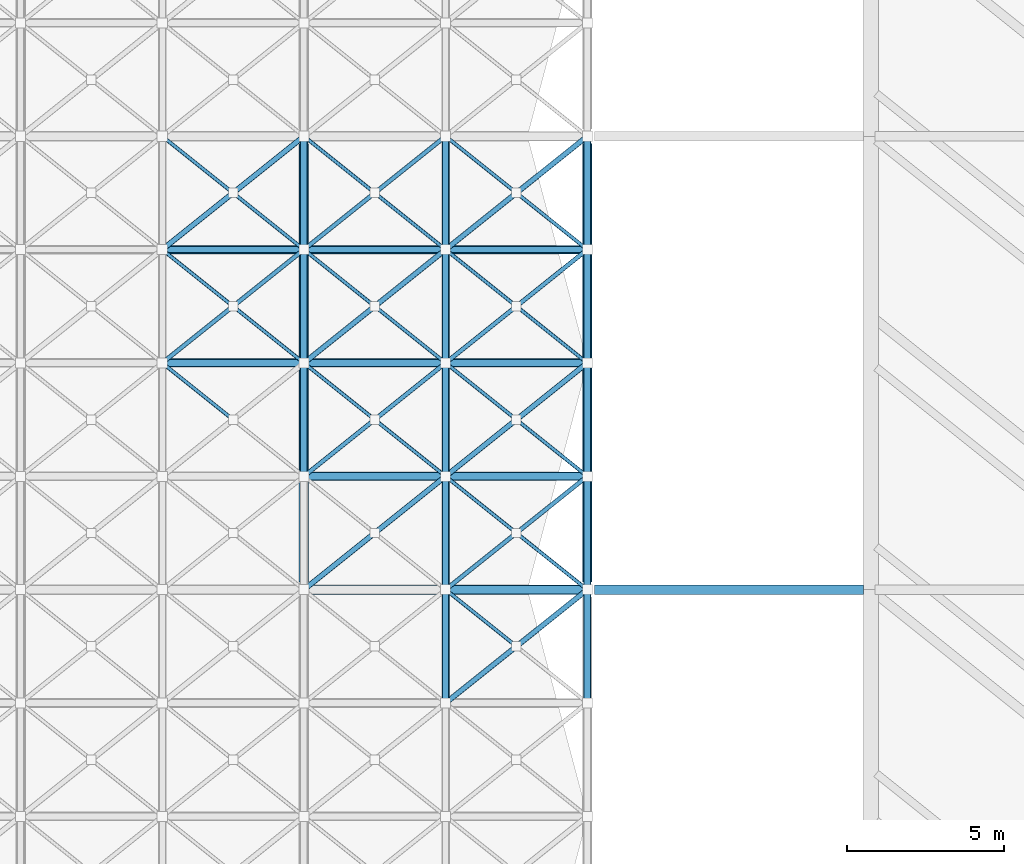
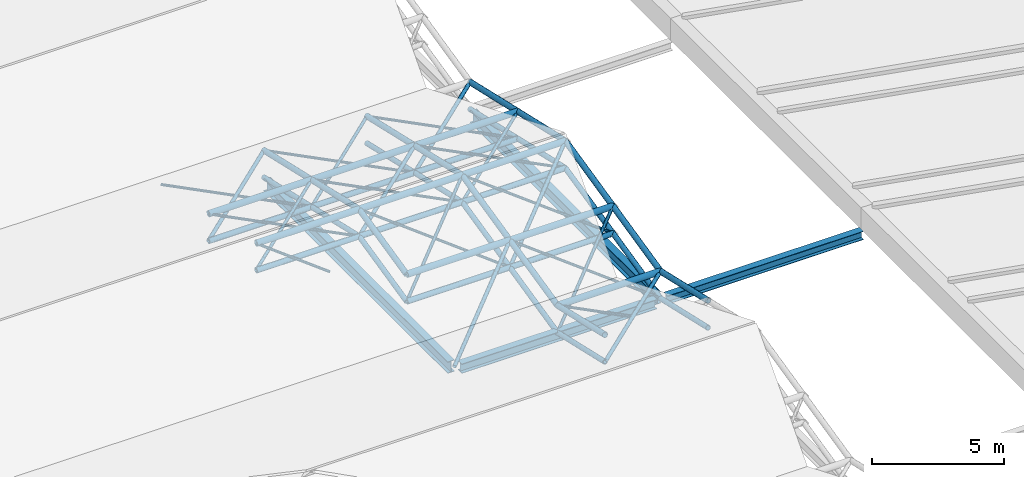
# One storey, part 20 of 110: 74 members, 4 beams.
"""IFC4 building model written with IfcOpenShell, lengths in metres."""

from ifc_helpers import new_model, si_unit, direction, frame, origin, origin_2d, place, context, subcontext, project, spatial, hollow_circle, i_section, extrude, material, material_profile, profile_set, type_object, element, save


model = new_model("IFC4")

# Units and contexts
model_context = context("Model", 3, precision=1e-05, world=origin(), true_north=direction((0.0, 1.0)))
body_context = subcontext(model_context, "Body", "Model", "MODEL_VIEW")
ifc_project = project(units=[si_unit("LENGTHUNIT", "METRE"), si_unit("AREAUNIT", "SQUARE_METRE"), si_unit("VOLUMEUNIT", "CUBIC_METRE"), si_unit("PLANEANGLEUNIT", "RADIAN"), si_unit("MASSUNIT", "GRAM", prefix="KILO")], contexts=[model_context])

# Site, building, storey
site_placement = place(None, origin())
site = spatial("IfcSite", under=ifc_project, at=site_placement, CompositionType="ELEMENT")
building_placement = place(site_placement, origin())
building = spatial("IfcBuilding", under=site, at=building_placement, Name="Tamarisk Ironworks Central Station", CompositionType="ELEMENT")
storey_placement = place(building_placement, frame((0.0, 0.0, 17.39990234375)))
storey = spatial("IfcBuildingStorey", under=building, at=storey_placement, Name="L03", CompositionType="ELEMENT", Elevation=17.39990234375)

# Beams
ifc_material_1 = material(Name="Structural steel S355J2", Category="steel")
ifc_material_profile_1 = material_profile(ifc_material_1, i_section(OverallWidth=0.300048828125, OverallDepth=0.5400390625, WebThickness=0.012451171875, FlangeThickness=0.02392578125, at=origin_2d()), Name="HEA 550")
ifc_profile_set_1 = profile_set([ifc_material_profile_1], Name="Structural steel S355J2")
beam_type_1 = type_object("IfcBeamType", Name="BM-G04", PredefinedType="BEAM", material=ifc_profile_set_1)
beam_1_placement = place(storey_placement, frame((36.0, 50.64208984375, -1.869873046875), z_axis=(0.0, 1.0, 0.0), x_axis=(-1.0, 0.0, 0.0)))
element("IfcBeam", 1, at=beam_1_placement, inside=storey, type_object=beam_type_1, Name="L03 primary girder Y-0600", PredefinedType="BEAM", context=body_context, shape_type="SweptSolid", body=[
    extrude(i_section(OverallWidth=0.300048828125, OverallDepth=0.5400390625, WebThickness=0.012451171875, FlangeThickness=0.02392578125, at=origin_2d()), origin(), (0.0, 0.0, 1.0), 13.916015625),
])
beam_2_placement = place(storey_placement, frame((45.0, 50.637939453125, -1.869873046875), z_axis=(0.0, 1.0, 0.0), x_axis=(-1.0, 0.0, 0.0)))
element("IfcBeam", 2, at=beam_2_placement, inside=storey, type_object=beam_type_1, Name="L03 primary girder Y-0604", PredefinedType="BEAM", context=body_context, shape_type="SweptSolid", body=[
    extrude(i_section(OverallWidth=0.300048828125, OverallDepth=0.5400390625, WebThickness=0.012451171875, FlangeThickness=0.02392578125, at=origin_2d()), origin(), (0.0, 0.0, 1.0), 13.924072265625),
])
ifc_material_profile_2 = material_profile(ifc_material_1, i_section(OverallWidth=0.300048828125, OverallDepth=0.43994140625, WebThickness=0.011474609375, FlangeThickness=0.02099609375, at=origin_2d()), Name="HEA 450")
ifc_profile_set_2 = profile_set([ifc_material_profile_2], Name="Structural steel S355J2")
beam_type_2 = type_object("IfcBeamType", Name="BM-G06", PredefinedType="BEAM", material=ifc_profile_set_2)
beam_3_placement = place(storey_placement, frame((36.241943359375, 50.39990234375, -1.81982421875), z_axis=(1.0, 0.0, 0.0), x_axis=(0.0, 1.0, 0.0)))
element("IfcBeam", 3, at=beam_3_placement, inside=storey, type_object=beam_type_2, Name="L03 primary girder X-0561", PredefinedType="BEAM", context=body_context, shape_type="SweptSolid", body=[
    extrude(i_section(OverallWidth=0.300048828125, OverallDepth=0.43994140625, WebThickness=0.011474609375, FlangeThickness=0.02099609375, at=origin_2d()), origin(), (0.0, 0.0, 1.0), 8.52001953125),
])
ifc_material_profile_3 = material_profile(ifc_material_1, i_section(OverallWidth=0.300048828125, OverallDepth=0.389892578125, WebThickness=0.010986328125, FlangeThickness=0.01904296875, at=origin_2d()), Name="HEA 400")
ifc_profile_set_3 = profile_set([ifc_material_profile_3], Name="Structural steel S355J2")
beam_type_3 = type_object("IfcBeamType", Name="BM-G07", PredefinedType="BEAM", material=ifc_profile_set_3)
beam_4_placement = place(storey_placement, frame((45.22998046875, 50.39990234375, -1.7998046875), z_axis=(1.0, 0.0, 0.0), x_axis=(0.0, 1.0, 0.0)))
element("IfcBeam", 4, at=beam_4_placement, inside=storey, type_object=beam_type_3, Name="Train shed to concourse eave tie girder 03", PredefinedType="BEAM", context=body_context, shape_type="SweptSolid", body=[
    extrude(i_section(OverallWidth=0.300048828125, OverallDepth=0.389892578125, WebThickness=0.010986328125, FlangeThickness=0.01904296875, at=origin_2d()), origin(), (0.0, 0.0, 1.0), 8.5400390625),
])

# Members
ifc_material_2 = material(Name="Structural steel S355J2H", Category="steel")
ifc_material_profile_4 = material_profile(ifc_material_2, hollow_circle(Radius=0.136474609375, WallThickness=0.012451171875, at=origin_2d()), Name="CHS 273x12.5")
ifc_profile_set_4 = profile_set([ifc_material_profile_4], Name="Structural steel S355J2H")
member_type_1 = type_object("IfcMemberType", Name="MB-SFC01", PredefinedType="CHORD", material=ifc_profile_set_4)
for number, where, z_axis, x_axis, name in (
    (5, (40.5, 50.39990234375, -0.469970703125), (1.0, 0.0, 0.0), (0.0, 1.0, 0.0), "Train shed space-frame top chord 0362"),
    (6, (36.0, 54.0, 0.35498046875), (1.0, 0.0, 0.0), (0.0, 1.0, 0.0), "Train shed space-frame top chord 0569"),
    (7, (40.5, 54.0, 0.35498046875), (1.0, 0.0, 0.0), (0.0, 1.0, 0.0), "Train shed space-frame top chord 0570"),
    (8, (31.5, 57.60009765625, 1.18017578125), (1.0, 0.0, 0.0), (0.0, 1.0, 0.0), "Train shed space-frame top chord 0578"),
    (9, (36.0, 57.60009765625, 1.18017578125), (1.0, 0.0, 0.0), (0.0, 1.0, 0.0), "Train shed space-frame top chord 0579"),
    (10, (40.5, 57.60009765625, 1.18017578125), (1.0, 0.0, 0.0), (0.0, 1.0, 0.0), "Train shed space-frame top chord 0580"),
    (11, (31.5, 61.199951171875, 0.35498046875), (1.0, 0.0, 0.0), (0.0, 1.0, 0.0), "Train shed space-frame top chord 0588"),
    (12, (36.0, 61.199951171875, 0.35498046875), (1.0, 0.0, 0.0), (0.0, 1.0, 0.0), "Train shed space-frame top chord 0589"),
    (13, (40.5, 61.199951171875, 0.35498046875), (1.0, 0.0, 0.0), (0.0, 1.0, 0.0), "Train shed space-frame top chord 0590"),
):
    element("IfcMember", number, at=place(storey_placement, frame(where, z_axis=z_axis, x_axis=x_axis)), inside=storey, type_object=member_type_1, Name=name, PredefinedType="CHORD", context=body_context, shape_type="SweptSolid", body=[
        extrude(hollow_circle(Radius=0.136474609375, WallThickness=0.012451171875, at=origin_2d()), origin(), (0.0, 0.0, 1.0), 4.5),
    ])
ifc_material_profile_5 = material_profile(ifc_material_2, hollow_circle(Radius=0.122314453125, WallThickness=0.012451171875, at=origin_2d()), Name="CHS 244.5x12.5")
ifc_profile_set_5 = profile_set([ifc_material_profile_5], Name="Structural steel S355J2H")
member_type_2 = type_object("IfcMemberType", Name="MB-SFC02", PredefinedType="CHORD", material=ifc_profile_set_5)
for number, where, z_axis, x_axis, name in (
    (14, (40.5, 46.800048828125, 0.35498046875), (0.0, 0.974733218107, -0.223372230857), (-1.0, 0.0, 0.0), "Train shed space-frame top transverse chord 0402"),
    (15, (45.0, 46.800048828125, 0.35498046875), (0.0, 0.974733218107, -0.223372230857), (-1.0, 0.0, 0.0), "Train shed space-frame top transverse chord 0406"),
):
    element("IfcMember", number, at=place(storey_placement, frame(where, z_axis=z_axis, x_axis=x_axis)), inside=storey, type_object=member_type_2, Name=name, PredefinedType="CHORD", context=body_context, shape_type="SweptSolid", body=[
        extrude(hollow_circle(Radius=0.122314453125, WallThickness=0.012451171875, at=origin_2d()), origin(), (0.0, 0.0, 1.0), 3.693115234375),
    ])
for number, where, z_axis, x_axis, name in (
    (16, (36.0, 54.0, -0.89501953125), (1.0, 0.0, 0.0), (0.0, 1.0, 0.0), "Train shed space-frame bottom chord 0495"),
    (17, (40.5, 54.0, -0.89501953125), (1.0, 0.0, 0.0), (0.0, 1.0, 0.0), "Train shed space-frame bottom chord 0496"),
    (18, (31.5, 57.60009765625, -0.06982421875), (1.0, 0.0, 0.0), (0.0, 1.0, 0.0), "Train shed space-frame bottom chord 0504"),
    (19, (36.0, 57.60009765625, -0.06982421875), (1.0, 0.0, 0.0), (0.0, 1.0, 0.0), "Train shed space-frame bottom chord 0505"),
    (20, (40.5, 57.60009765625, -0.06982421875), (1.0, 0.0, 0.0), (0.0, 1.0, 0.0), "Train shed space-frame bottom chord 0506"),
    (21, (31.5, 61.199951171875, -0.89501953125), (1.0, 0.0, 0.0), (0.0, 1.0, 0.0), "Train shed space-frame bottom chord 0514"),
    (22, (36.0, 61.199951171875, -0.89501953125), (1.0, 0.0, 0.0), (0.0, 1.0, 0.0), "Train shed space-frame bottom chord 0515"),
    (23, (40.5, 61.199951171875, -0.89501953125), (1.0, 0.0, 0.0), (0.0, 1.0, 0.0), "Train shed space-frame bottom chord 0516"),
):
    element("IfcMember", number, at=place(storey_placement, frame(where, z_axis=z_axis, x_axis=x_axis)), inside=storey, type_object=member_type_2, Name=name, PredefinedType="CHORD", context=body_context, shape_type="SweptSolid", body=[
        extrude(hollow_circle(Radius=0.122314453125, WallThickness=0.012451171875, at=origin_2d()), origin(), (0.0, 0.0, 1.0), 4.5),
    ])
member_1_placement = place(storey_placement, frame((36.0, 54.0, 0.35498046875), z_axis=(0.0, 0.974722123001, 0.223420641241), x_axis=(-1.0, 0.0, 0.0)))
element("IfcMember", 24, at=member_1_placement, inside=storey, type_object=member_type_2, Name="Train shed space-frame top transverse chord 0634", PredefinedType="CHORD", context=body_context, shape_type="SweptSolid", body=[
    extrude(hollow_circle(Radius=0.122314453125, WallThickness=0.012451171875, at=origin_2d()), origin(), (0.0, 0.0, 1.0), 3.693359375),
])
member_2_placement = place(storey_placement, frame((36.0, 57.60009765625, 1.18017578125), z_axis=(0.0, 0.974718823144, -0.223435037113), x_axis=(-1.0, 0.0, 0.0)))
element("IfcMember", 25, at=member_2_placement, inside=storey, type_object=member_type_2, Name="Train shed space-frame top transverse chord 0635", PredefinedType="CHORD", context=body_context, shape_type="SweptSolid", body=[
    extrude(hollow_circle(Radius=0.122314453125, WallThickness=0.012451171875, at=origin_2d()), origin(), (0.0, 0.0, 1.0), 3.693115234375),
])
for number, where, z_axis, x_axis, name in (
    (26, (36.0, 61.199951171875, 0.35498046875), (0.0, 0.974736516158, -0.223357838607), (-1.0, 0.0, 0.0), "Train shed space-frame top transverse chord 0636"),
    (27, (40.5, 50.39990234375, -0.469970703125), (0.0, 0.974736516158, 0.223357838607), (-1.0, 0.0, 0.0), "Train shed space-frame top transverse chord 0637"),
    (28, (40.5, 54.0, 0.35498046875), (0.0, 0.974722123001, 0.223420641241), (-1.0, 0.0, 0.0), "Train shed space-frame top transverse chord 0638"),
):
    element("IfcMember", number, at=place(storey_placement, frame(where, z_axis=z_axis, x_axis=x_axis)), inside=storey, type_object=member_type_2, Name=name, PredefinedType="CHORD", context=body_context, shape_type="SweptSolid", body=[
        extrude(hollow_circle(Radius=0.122314453125, WallThickness=0.012451171875, at=origin_2d()), origin(), (0.0, 0.0, 1.0), 3.693359375),
    ])
member_3_placement = place(storey_placement, frame((40.5, 57.60009765625, 1.18017578125), z_axis=(0.0, 0.974718823144, -0.223435037113), x_axis=(-1.0, 0.0, 0.0)))
element("IfcMember", 29, at=member_3_placement, inside=storey, type_object=member_type_2, Name="Train shed space-frame top transverse chord 0639", PredefinedType="CHORD", context=body_context, shape_type="SweptSolid", body=[
    extrude(hollow_circle(Radius=0.122314453125, WallThickness=0.012451171875, at=origin_2d()), origin(), (0.0, 0.0, 1.0), 3.693115234375),
])
for number, where, z_axis, x_axis, name in (
    (30, (40.5, 61.199951171875, 0.35498046875), (0.0, 0.974736516158, -0.223357838607), (-1.0, 0.0, 0.0), "Train shed space-frame top transverse chord 0640"),
    (31, (45.0, 50.39990234375, -0.469970703125), (0.0, 0.974736516158, 0.223357838607), (-1.0, 0.0, 0.0), "Train shed space-frame top transverse chord 0641"),
    (32, (45.0, 54.0, 0.35498046875), (0.0, 0.974722123001, 0.223420641241), (-1.0, 0.0, 0.0), "Train shed space-frame top transverse chord 0642"),
):
    element("IfcMember", number, at=place(storey_placement, frame(where, z_axis=z_axis, x_axis=x_axis)), inside=storey, type_object=member_type_2, Name=name, PredefinedType="CHORD", context=body_context, shape_type="SweptSolid", body=[
        extrude(hollow_circle(Radius=0.122314453125, WallThickness=0.012451171875, at=origin_2d()), origin(), (0.0, 0.0, 1.0), 3.693359375),
    ])
member_4_placement = place(storey_placement, frame((45.0, 57.60009765625, 1.18017578125), z_axis=(0.0, 0.974718823144, -0.223435037113), x_axis=(-1.0, 0.0, 0.0)))
element("IfcMember", 33, at=member_4_placement, inside=storey, type_object=member_type_2, Name="Train shed space-frame top transverse chord 0643", PredefinedType="CHORD", context=body_context, shape_type="SweptSolid", body=[
    extrude(hollow_circle(Radius=0.122314453125, WallThickness=0.012451171875, at=origin_2d()), origin(), (0.0, 0.0, 1.0), 3.693115234375),
])
member_5_placement = place(storey_placement, frame((45.0, 61.199951171875, 0.35498046875), z_axis=(0.0, 0.974736516158, -0.223357838607), x_axis=(-1.0, 0.0, 0.0)))
element("IfcMember", 34, at=member_5_placement, inside=storey, type_object=member_type_2, Name="Train shed space-frame top transverse chord 0644", PredefinedType="CHORD", context=body_context, shape_type="SweptSolid", body=[
    extrude(hollow_circle(Radius=0.122314453125, WallThickness=0.012451171875, at=origin_2d()), origin(), (0.0, 0.0, 1.0), 3.693359375),
])
ifc_material_profile_6 = material_profile(ifc_material_2, hollow_circle(Radius=0.109619140625, WallThickness=0.010009765625, at=origin_2d()), Name="CHS 219.1x10")
ifc_profile_set_6 = profile_set([ifc_material_profile_6], Name="Structural steel S355J2H")
member_type_3 = type_object("IfcMemberType", Name="MB-SFC03", PredefinedType="CHORD", material=ifc_profile_set_6)
for number, where, z_axis, x_axis, name in (
    (35, (40.5, 46.800048828125, -0.89501953125), (0.0, 0.974733218107, -0.223372230857), (-1.0, 0.0, 0.0), "Train shed space-frame transverse chord 0318"),
    (36, (45.0, 46.800048828125, -0.89501953125), (0.0, 0.974733218107, -0.223372230857), (-1.0, 0.0, 0.0), "Train shed space-frame transverse chord 0322"),
):
    element("IfcMember", number, at=place(storey_placement, frame(where, z_axis=z_axis, x_axis=x_axis)), inside=storey, type_object=member_type_3, Name=name, PredefinedType="CHORD", context=body_context, shape_type="SweptSolid", body=[
        extrude(hollow_circle(Radius=0.109619140625, WallThickness=0.010009765625, at=origin_2d()), origin(), (0.0, 0.0, 1.0), 3.693115234375),
    ])
member_6_placement = place(storey_placement, frame((36.0, 54.0, -0.89501953125), z_axis=(0.0, 0.974722123001, 0.223420641241), x_axis=(-1.0, 0.0, 0.0)))
element("IfcMember", 37, at=member_6_placement, inside=storey, type_object=member_type_3, Name="Train shed space-frame transverse chord 0550", PredefinedType="CHORD", context=body_context, shape_type="SweptSolid", body=[
    extrude(hollow_circle(Radius=0.109619140625, WallThickness=0.010009765625, at=origin_2d()), origin(), (0.0, 0.0, 1.0), 3.693359375),
])
member_7_placement = place(storey_placement, frame((36.0, 57.60009765625, -0.06982421875), z_axis=(0.0, 0.974718823144, -0.223435037113), x_axis=(-1.0, 0.0, 0.0)))
element("IfcMember", 38, at=member_7_placement, inside=storey, type_object=member_type_3, Name="Train shed space-frame transverse chord 0551", PredefinedType="CHORD", context=body_context, shape_type="SweptSolid", body=[
    extrude(hollow_circle(Radius=0.109619140625, WallThickness=0.010009765625, at=origin_2d()), origin(), (0.0, 0.0, 1.0), 3.693115234375),
])
for number, where, z_axis, x_axis, name in (
    (39, (36.0, 61.199951171875, -0.89501953125), (0.0, 0.974736516158, -0.223357838607), (-1.0, 0.0, 0.0), "Train shed space-frame transverse chord 0552"),
    (40, (40.5, 50.39990234375, -1.719970703125), (0.0, 0.974736516158, 0.223357838607), (-1.0, 0.0, 0.0), "Train shed space-frame transverse chord 0553"),
    (41, (40.5, 54.0, -0.89501953125), (0.0, 0.974722123001, 0.223420641241), (-1.0, 0.0, 0.0), "Train shed space-frame transverse chord 0554"),
):
    element("IfcMember", number, at=place(storey_placement, frame(where, z_axis=z_axis, x_axis=x_axis)), inside=storey, type_object=member_type_3, Name=name, PredefinedType="CHORD", context=body_context, shape_type="SweptSolid", body=[
        extrude(hollow_circle(Radius=0.109619140625, WallThickness=0.010009765625, at=origin_2d()), origin(), (0.0, 0.0, 1.0), 3.693359375),
    ])
member_8_placement = place(storey_placement, frame((40.5, 57.60009765625, -0.06982421875), z_axis=(0.0, 0.974718823144, -0.223435037113), x_axis=(-1.0, 0.0, 0.0)))
element("IfcMember", 42, at=member_8_placement, inside=storey, type_object=member_type_3, Name="Train shed space-frame transverse chord 0555", PredefinedType="CHORD", context=body_context, shape_type="SweptSolid", body=[
    extrude(hollow_circle(Radius=0.109619140625, WallThickness=0.010009765625, at=origin_2d()), origin(), (0.0, 0.0, 1.0), 3.693115234375),
])
for number, where, z_axis, x_axis, name in (
    (43, (40.5, 61.199951171875, -0.89501953125), (0.0, 0.974736516158, -0.223357838607), (-1.0, 0.0, 0.0), "Train shed space-frame transverse chord 0556"),
    (44, (45.0, 50.39990234375, -1.719970703125), (0.0, 0.974736516158, 0.223357838607), (-1.0, 0.0, 0.0), "Train shed space-frame transverse chord 0557"),
    (45, (45.0, 54.0, -0.89501953125), (0.0, 0.974722123001, 0.223420641241), (-1.0, 0.0, 0.0), "Train shed space-frame transverse chord 0558"),
):
    element("IfcMember", number, at=place(storey_placement, frame(where, z_axis=z_axis, x_axis=x_axis)), inside=storey, type_object=member_type_3, Name=name, PredefinedType="CHORD", context=body_context, shape_type="SweptSolid", body=[
        extrude(hollow_circle(Radius=0.109619140625, WallThickness=0.010009765625, at=origin_2d()), origin(), (0.0, 0.0, 1.0), 3.693359375),
    ])
member_9_placement = place(storey_placement, frame((45.0, 57.60009765625, -0.06982421875), z_axis=(0.0, 0.974718823144, -0.223435037113), x_axis=(-1.0, 0.0, 0.0)))
element("IfcMember", 46, at=member_9_placement, inside=storey, type_object=member_type_3, Name="Train shed space-frame transverse chord 0559", PredefinedType="CHORD", context=body_context, shape_type="SweptSolid", body=[
    extrude(hollow_circle(Radius=0.109619140625, WallThickness=0.010009765625, at=origin_2d()), origin(), (0.0, 0.0, 1.0), 3.693115234375),
])
member_10_placement = place(storey_placement, frame((45.0, 61.199951171875, -0.89501953125), z_axis=(0.0, 0.974736516158, -0.223357838607), x_axis=(-1.0, 0.0, 0.0)))
element("IfcMember", 47, at=member_10_placement, inside=storey, type_object=member_type_3, Name="Train shed space-frame transverse chord 0560", PredefinedType="CHORD", context=body_context, shape_type="SweptSolid", body=[
    extrude(hollow_circle(Radius=0.109619140625, WallThickness=0.010009765625, at=origin_2d()), origin(), (0.0, 0.0, 1.0), 3.693359375),
])
ifc_material_profile_7 = material_profile(ifc_material_2, hollow_circle(Radius=0.084228515625, WallThickness=0.010009765625, at=origin_2d()), Name="CHS 168.3x10")
ifc_profile_set_7 = profile_set([ifc_material_profile_7], Name="Structural steel S355J2H")
member_type_4 = type_object("IfcMemberType", Name="MB-SFD01", PredefinedType="BRACE", material=ifc_profile_set_7)
member_11_placement = place(storey_placement, frame((40.5, 46.800048828125, -0.89501953125), z_axis=(0.778765724077, 0.622987228815, 0.073558546312), x_axis=(-0.624679547852, 0.780881208953, 0.0)))
element("IfcMember", 48, at=member_11_placement, inside=storey, type_object=member_type_4, Name="Train shed space-frame diagonal 0485", PredefinedType="BRACE", context=body_context, shape_type="SweptSolid", body=[
    extrude(hollow_circle(Radius=0.084228515625, WallThickness=0.010009765625, at=origin_2d()), origin(), (0.0, 0.0, 1.0), 5.7783203125),
])
member_12_placement = place(storey_placement, frame((31.5, 61.199951171875, -0.89501953125), z_axis=(0.778745225774, 0.623013080472, 0.073556610138), x_axis=(-0.624705380279, 0.780860543151, 0.0)))
element("IfcMember", 49, at=member_12_placement, inside=storey, type_object=member_type_4, Name="Train shed space-frame diagonal 0707", PredefinedType="BRACE", context=body_context, shape_type="SweptSolid", body=[
    extrude(hollow_circle(Radius=0.084228515625, WallThickness=0.010009765625, at=origin_2d()), origin(), (0.0, 0.0, 1.0), 5.778564453125),
])
member_13_placement = place(storey_placement, frame((36.0, 50.39990234375, -1.719970703125), z_axis=(0.734688976783, 0.587767125198, 0.33876527852), x_axis=(-0.624705380279, 0.780860543151, 0.0)))
element("IfcMember", 50, at=member_13_placement, inside=storey, type_object=member_type_4, Name="Train shed space-frame diagonal 0709", PredefinedType="BRACE", context=body_context, shape_type="SweptSolid", body=[
    extrude(hollow_circle(Radius=0.084228515625, WallThickness=0.010009765625, at=origin_2d()), origin(), (0.0, 0.0, 1.0), 6.125),
])
member_14_placement = place(storey_placement, frame((36.0, 57.60009765625, -0.06982421875), z_axis=(0.778768143722, 0.622989164452, 0.073516523984), x_axis=(-0.624679547852, 0.780881208953, 0.0)))
element("IfcMember", 51, at=member_14_placement, inside=storey, type_object=member_type_4, Name="Train shed space-frame diagonal 0713", PredefinedType="BRACE", context=body_context, shape_type="SweptSolid", body=[
    extrude(hollow_circle(Radius=0.084228515625, WallThickness=0.010009765625, at=origin_2d()), origin(), (0.0, 0.0, 1.0), 5.7783203125),
])
member_15_placement = place(storey_placement, frame((40.5, 54.0, -0.89501953125), z_axis=(0.734679055902, 0.587759188278, 0.338800562889), x_axis=(-0.624705380279, 0.780860543151, 0.0)))
element("IfcMember", 52, at=member_15_placement, inside=storey, type_object=member_type_4, Name="Train shed space-frame diagonal 0719", PredefinedType="BRACE", context=body_context, shape_type="SweptSolid", body=[
    extrude(hollow_circle(Radius=0.084228515625, WallThickness=0.010009765625, at=origin_2d()), origin(), (0.0, 0.0, 1.0), 6.125244140625),
])
member_16_placement = place(storey_placement, frame((40.5, 61.199951171875, -0.89501953125), z_axis=(0.778745225774, 0.623013080472, 0.073556610138), x_axis=(-0.624705380279, 0.780860543151, 0.0)))
element("IfcMember", 53, at=member_16_placement, inside=storey, type_object=member_type_4, Name="Train shed space-frame diagonal 0723", PredefinedType="BRACE", context=body_context, shape_type="SweptSolid", body=[
    extrude(hollow_circle(Radius=0.084228515625, WallThickness=0.010009765625, at=origin_2d()), origin(), (0.0, 0.0, 1.0), 5.778564453125),
])
ifc_material_profile_8 = material_profile(ifc_material_2, hollow_circle(Radius=0.06982421875, WallThickness=0.008056640625, at=origin_2d()), Name="CHS 139.7x8")
ifc_profile_set_8 = profile_set([ifc_material_profile_8], Name="Structural steel S355J2H")
member_type_5 = type_object("IfcMemberType", Name="MB-SFD02", PredefinedType="BRACE", material=ifc_profile_set_8)
member_17_placement = place(storey_placement, frame((31.5, 57.60009765625, -0.06982421875), z_axis=(0.778768143722, 0.622989164452, 0.073516523984), x_axis=(-0.624679547852, 0.780881208953, 0.0)))
element("IfcMember", 54, at=member_17_placement, inside=storey, type_object=member_type_5, Name="Train shed space-frame diagonal 0705", PredefinedType="BRACE", context=body_context, shape_type="SweptSolid", body=[
    extrude(hollow_circle(Radius=0.06982421875, WallThickness=0.008056640625, at=origin_2d()), origin(), (0.0, 0.0, 1.0), 5.7783203125),
])
member_18_placement = place(storey_placement, frame((36.0, 54.0, -0.89501953125), z_axis=(0.734679055902, 0.587759188278, 0.338800562889), x_axis=(-0.624705380279, 0.780860543151, 0.0)))
element("IfcMember", 55, at=member_18_placement, inside=storey, type_object=member_type_5, Name="Train shed space-frame diagonal 0711", PredefinedType="BRACE", context=body_context, shape_type="SweptSolid", body=[
    extrude(hollow_circle(Radius=0.06982421875, WallThickness=0.008056640625, at=origin_2d()), origin(), (0.0, 0.0, 1.0), 6.125244140625),
])
member_19_placement = place(storey_placement, frame((36.0, 61.199951171875, -0.89501953125), z_axis=(0.778745225774, 0.623013080472, 0.073556610138), x_axis=(-0.624705380279, 0.780860543151, 0.0)))
element("IfcMember", 56, at=member_19_placement, inside=storey, type_object=member_type_5, Name="Train shed space-frame diagonal 0715", PredefinedType="BRACE", context=body_context, shape_type="SweptSolid", body=[
    extrude(hollow_circle(Radius=0.06982421875, WallThickness=0.008056640625, at=origin_2d()), origin(), (0.0, 0.0, 1.0), 5.778564453125),
])
member_20_placement = place(storey_placement, frame((40.5, 50.39990234375, -1.719970703125), z_axis=(0.734688976783, 0.587767125198, 0.33876527852), x_axis=(-0.624705380279, 0.780860543151, 0.0)))
element("IfcMember", 57, at=member_20_placement, inside=storey, type_object=member_type_5, Name="Train shed space-frame diagonal 0717", PredefinedType="BRACE", context=body_context, shape_type="SweptSolid", body=[
    extrude(hollow_circle(Radius=0.06982421875, WallThickness=0.008056640625, at=origin_2d()), origin(), (0.0, 0.0, 1.0), 6.125),
])
member_21_placement = place(storey_placement, frame((40.5, 57.60009765625, -0.06982421875), z_axis=(0.778768143722, 0.622989164452, 0.073516523984), x_axis=(-0.624679547852, 0.780881208953, 0.0)))
element("IfcMember", 58, at=member_21_placement, inside=storey, type_object=member_type_5, Name="Train shed space-frame diagonal 0721", PredefinedType="BRACE", context=body_context, shape_type="SweptSolid", body=[
    extrude(hollow_circle(Radius=0.06982421875, WallThickness=0.008056640625, at=origin_2d()), origin(), (0.0, 0.0, 1.0), 5.7783203125),
])
ifc_material_profile_9 = material_profile(ifc_material_2, hollow_circle(Radius=0.05712890625, WallThickness=0.00634765625, at=origin_2d()), Name="CHS 114.3x6.3")
ifc_profile_set_9 = profile_set([ifc_material_profile_9], Name="Structural steel S355J2H")
member_type_6 = type_object("IfcMemberType", Name="MB-SFD03", PredefinedType="BRACE", material=ifc_profile_set_9)
member_22_placement = place(storey_placement, frame((42.707275390625, 48.63427734375, -0.678466796875), z_axis=(-0.778786711003, 0.622960457248, 0.073563084968), x_axis=(-0.624652913247, -0.780902515025, 0.0)))
element("IfcMember", 59, at=member_22_placement, inside=storey, type_object=member_type_6, Name="Train shed space-frame split counter-diagonal upper 0486", PredefinedType="BRACE", context=body_context, shape_type="SweptSolid", body=[
    extrude(hollow_circle(Radius=0.05712890625, WallThickness=0.00634765625, at=origin_2d()), origin(), (0.0, 0.0, 1.0), 2.834228515625),
])
member_23_placement = place(storey_placement, frame((33.709716796875, 55.832275390625, 0.1611328125), z_axis=(-0.734677102003, 0.587757915766, 0.338807007376), x_axis=(-0.624705568642, -0.780860392457, 0.0)))
element("IfcMember", 60, at=member_23_placement, inside=storey, type_object=member_type_6, Name="Train shed space-frame split counter-diagonal upper 0704", PredefinedType="BRACE", context=body_context, shape_type="SweptSolid", body=[
    extrude(hollow_circle(Radius=0.05712890625, WallThickness=0.00634765625, at=origin_2d()), origin(), (0.0, 0.0, 1.0), 3.0078125),
])
for number, where, z_axis, x_axis, name in (
    (61, (36.0, 57.60009765625, -0.06982421875), (-0.778786711003, 0.622960457248, 0.073563084968), (-0.624652913247, -0.780902515025, 0.0), "Train shed space-frame split counter-diagonal lower 0706"),
    (62, (33.707275390625, 59.434326171875, 0.146484375), (-0.778786711003, 0.622960457248, 0.073563084968), (-0.624652913247, -0.780902515025, 0.0), "Train shed space-frame split counter-diagonal upper 0706"),
):
    element("IfcMember", number, at=place(storey_placement, frame(where, z_axis=z_axis, x_axis=x_axis)), inside=storey, type_object=member_type_6, Name=name, PredefinedType="BRACE", context=body_context, shape_type="SweptSolid", body=[
        extrude(hollow_circle(Radius=0.05712890625, WallThickness=0.00634765625, at=origin_2d()), origin(), (0.0, 0.0, 1.0), 2.834228515625),
    ])
for number, where, z_axis, x_axis, name in (
    (63, (36.0, 61.199951171875, -0.89501953125), (-0.778744920641, 0.623013163477, 0.07355913751), (-0.624705580279, -0.780860383147, 0.0), "Train shed space-frame split counter-diagonal lower 0708"),
    (64, (33.707275390625, 63.0341796875, -0.678466796875), (-0.778744920641, 0.623013163477, 0.07355913751), (-0.624705580279, -0.780860383147, 0.0), "Train shed space-frame split counter-diagonal upper 0708"),
):
    element("IfcMember", number, at=place(storey_placement, frame(where, z_axis=z_axis, x_axis=x_axis)), inside=storey, type_object=member_type_6, Name=name, PredefinedType="BRACE", context=body_context, shape_type="SweptSolid", body=[
        extrude(hollow_circle(Radius=0.05712890625, WallThickness=0.00634765625, at=origin_2d()), origin(), (0.0, 0.0, 1.0), 2.83447265625),
    ])
member_24_placement = place(storey_placement, frame((40.5, 54.0, -0.89501953125), z_axis=(-0.734712152648, 0.587704782363, 0.33882317149), x_axis=(-0.624652959802, -0.780902477785, 0.0)))
element("IfcMember", 65, at=member_24_placement, inside=storey, type_object=member_type_6, Name="Train shed space-frame split counter-diagonal lower 0712", PredefinedType="BRACE", context=body_context, shape_type="SweptSolid", body=[
    extrude(hollow_circle(Radius=0.05712890625, WallThickness=0.00634765625, at=origin_2d()), origin(), (0.0, 0.0, 1.0), 3.007568359375),
])
member_25_placement = place(storey_placement, frame((38.209716796875, 55.832275390625, 0.1611328125), z_axis=(-0.734677102003, 0.587757915766, 0.338807007376), x_axis=(-0.624705568642, -0.780860392457, 0.0)))
element("IfcMember", 66, at=member_25_placement, inside=storey, type_object=member_type_6, Name="Train shed space-frame split counter-diagonal upper 0712", PredefinedType="BRACE", context=body_context, shape_type="SweptSolid", body=[
    extrude(hollow_circle(Radius=0.05712890625, WallThickness=0.00634765625, at=origin_2d()), origin(), (0.0, 0.0, 1.0), 3.0078125),
])
for number, where, z_axis, x_axis, name in (
    (67, (40.5, 57.60009765625, -0.06982421875), (-0.778786711003, 0.622960457248, 0.073563084968), (-0.624652913247, -0.780902515025, 0.0), "Train shed space-frame split counter-diagonal lower 0714"),
    (68, (38.207275390625, 59.434326171875, 0.146484375), (-0.778786711003, 0.622960457248, 0.073563084968), (-0.624652913247, -0.780902515025, 0.0), "Train shed space-frame split counter-diagonal upper 0714"),
):
    element("IfcMember", number, at=place(storey_placement, frame(where, z_axis=z_axis, x_axis=x_axis)), inside=storey, type_object=member_type_6, Name=name, PredefinedType="BRACE", context=body_context, shape_type="SweptSolid", body=[
        extrude(hollow_circle(Radius=0.05712890625, WallThickness=0.00634765625, at=origin_2d()), origin(), (0.0, 0.0, 1.0), 2.834228515625),
    ])
for number, where, z_axis, x_axis, name in (
    (69, (40.5, 61.199951171875, -0.89501953125), (-0.778744920641, 0.623013163477, 0.07355913751), (-0.624705580279, -0.780860383147, 0.0), "Train shed space-frame split counter-diagonal lower 0716"),
    (70, (38.207275390625, 63.0341796875, -0.678466796875), (-0.778744920641, 0.623013163477, 0.07355913751), (-0.624705580279, -0.780860383147, 0.0), "Train shed space-frame split counter-diagonal upper 0716"),
):
    element("IfcMember", number, at=place(storey_placement, frame(where, z_axis=z_axis, x_axis=x_axis)), inside=storey, type_object=member_type_6, Name=name, PredefinedType="BRACE", context=body_context, shape_type="SweptSolid", body=[
        extrude(hollow_circle(Radius=0.05712890625, WallThickness=0.00634765625, at=origin_2d()), origin(), (0.0, 0.0, 1.0), 2.83447265625),
    ])
member_26_placement = place(storey_placement, frame((45.0, 50.39990234375, -1.719970703125), z_axis=(-0.734677102003, 0.587757915766, 0.338807007376), x_axis=(-0.624705568642, -0.780860392457, 0.0)))
element("IfcMember", 71, at=member_26_placement, inside=storey, type_object=member_type_6, Name="Train shed space-frame split counter-diagonal lower 0718", PredefinedType="BRACE", context=body_context, shape_type="SweptSolid", body=[
    extrude(hollow_circle(Radius=0.05712890625, WallThickness=0.00634765625, at=origin_2d()), origin(), (0.0, 0.0, 1.0), 3.0078125),
])
for number, where, z_axis, x_axis, name in (
    (72, (42.709716796875, 52.232421875, -0.663818359375), (-0.734732358486, 0.587720945248, 0.338751312779), (-0.624652959802, -0.780902477785, 0.0), "Train shed space-frame split counter-diagonal upper 0718"),
    (73, (45.0, 54.0, -0.89501953125), (-0.734712152648, 0.587704782363, 0.33882317149), (-0.624652959802, -0.780902477785, 0.0), "Train shed space-frame split counter-diagonal lower 0720"),
):
    element("IfcMember", number, at=place(storey_placement, frame(where, z_axis=z_axis, x_axis=x_axis)), inside=storey, type_object=member_type_6, Name=name, PredefinedType="BRACE", context=body_context, shape_type="SweptSolid", body=[
        extrude(hollow_circle(Radius=0.05712890625, WallThickness=0.00634765625, at=origin_2d()), origin(), (0.0, 0.0, 1.0), 3.007568359375),
    ])
member_27_placement = place(storey_placement, frame((42.709716796875, 55.832275390625, 0.1611328125), z_axis=(-0.734677102003, 0.587757915766, 0.338807007376), x_axis=(-0.624705568642, -0.780860392457, 0.0)))
element("IfcMember", 74, at=member_27_placement, inside=storey, type_object=member_type_6, Name="Train shed space-frame split counter-diagonal upper 0720", PredefinedType="BRACE", context=body_context, shape_type="SweptSolid", body=[
    extrude(hollow_circle(Radius=0.05712890625, WallThickness=0.00634765625, at=origin_2d()), origin(), (0.0, 0.0, 1.0), 3.0078125),
])
for number, where, z_axis, x_axis, name in (
    (75, (45.0, 57.60009765625, -0.06982421875), (-0.778786711003, 0.622960457248, 0.073563084968), (-0.624652913247, -0.780902515025, 0.0), "Train shed space-frame split counter-diagonal lower 0722"),
    (76, (42.707275390625, 59.434326171875, 0.146484375), (-0.778786711003, 0.622960457248, 0.073563084968), (-0.624652913247, -0.780902515025, 0.0), "Train shed space-frame split counter-diagonal upper 0722"),
):
    element("IfcMember", number, at=place(storey_placement, frame(where, z_axis=z_axis, x_axis=x_axis)), inside=storey, type_object=member_type_6, Name=name, PredefinedType="BRACE", context=body_context, shape_type="SweptSolid", body=[
        extrude(hollow_circle(Radius=0.05712890625, WallThickness=0.00634765625, at=origin_2d()), origin(), (0.0, 0.0, 1.0), 2.834228515625),
    ])
for number, where, z_axis, x_axis, name in (
    (77, (45.0, 61.199951171875, -0.89501953125), (-0.778744920641, 0.623013163477, 0.07355913751), (-0.624705580279, -0.780860383147, 0.0), "Train shed space-frame split counter-diagonal lower 0724"),
    (78, (42.707275390625, 63.0341796875, -0.678466796875), (-0.778744920641, 0.623013163477, 0.07355913751), (-0.624705580279, -0.780860383147, 0.0), "Train shed space-frame split counter-diagonal upper 0724"),
):
    element("IfcMember", number, at=place(storey_placement, frame(where, z_axis=z_axis, x_axis=x_axis)), inside=storey, type_object=member_type_6, Name=name, PredefinedType="BRACE", context=body_context, shape_type="SweptSolid", body=[
        extrude(hollow_circle(Radius=0.05712890625, WallThickness=0.00634765625, at=origin_2d()), origin(), (0.0, 0.0, 1.0), 2.83447265625),
    ])

save(model, "model.ifc")
